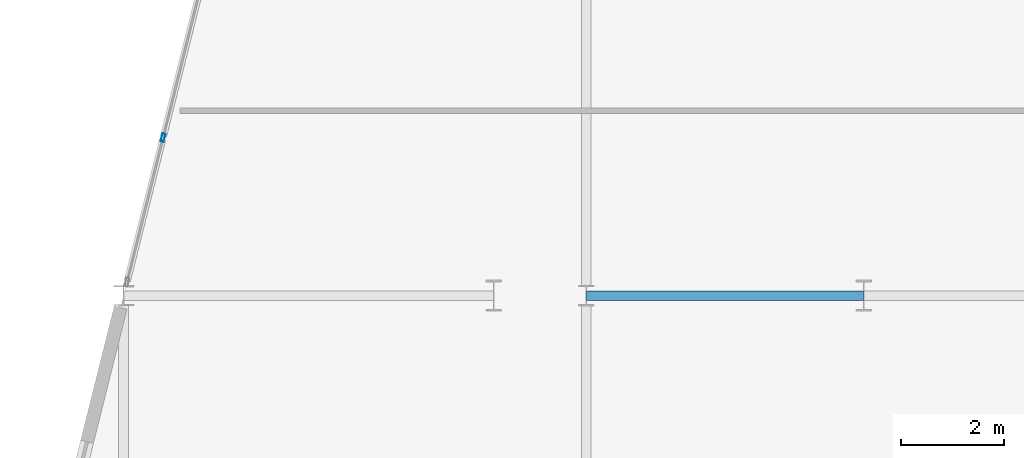
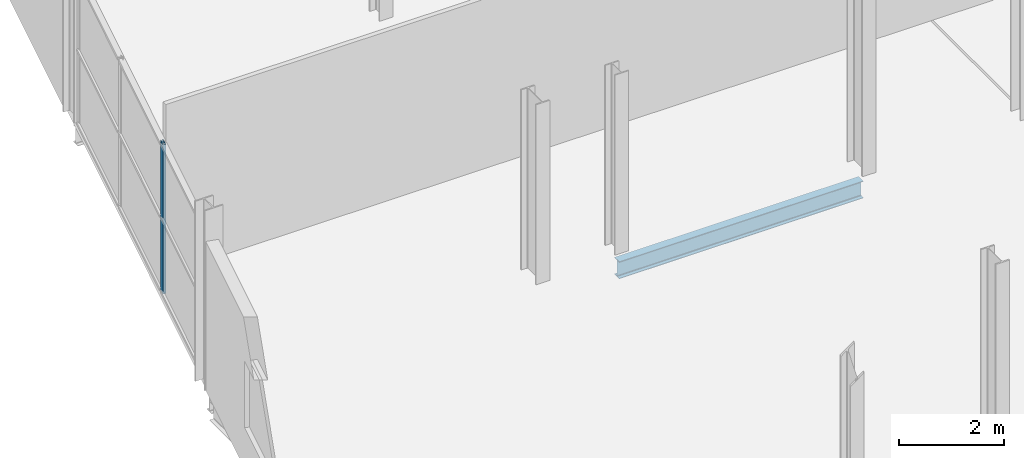
# One storey, part 41 of 88: 1 beam, 1 member, 1 element without a shape of its own.
"""IFC4 building model written with IfcOpenShell, lengths in metres."""

import ifcopenshell
import ifcopenshell.guid

model = None  # the IFC model being written
_history = None  # IfcOwnerHistory: only IFC2X3 demands one
_inside = {}  # id of a spatial element -> (the spatial element, [elements in it])
_under = {}  # id of a project, library or spatial element -> (it, [spatial elements below it])
_declared = {}  # id of a project -> (the project, [libraries it declares])
_typed = {}  # id of a type object -> (the type object, [elements of that type])
_made_of = {}  # id of a material, layer set ... -> (it, [elements and type objects made of it])


def new_model(schema):
    """Start an empty IFC model of exactly this schema.

    Asked for "IFC4X3", IfcOpenShell would pick the latest addendum, in which some entities
    have other attributes; the version numbers below select the first issue.
    IFC2X3 requires an IfcOwnerHistory on every rooted entity: one is made here for all.
    """
    global model, _history
    if schema == "IFC4X3":
        model = ifcopenshell.file(schema_version=(4, 3, 0, 0))
    else:
        model = ifcopenshell.file(schema=schema)
    _inside.clear()
    _under.clear()
    _declared.clear()
    _typed.clear()
    _made_of.clear()
    _history = None
    if model.schema == "IFC2X3":
        org = make("IfcOrganization", Name="unknown")
        user = make(
            "IfcPersonAndOrganization",
            ThePerson=make("IfcPerson", FamilyName="unknown"),
            TheOrganization=org,
        )
        app = make(
            "IfcApplication",
            ApplicationDeveloper=org,
            Version="unknown",
            ApplicationFullName="unknown",
            ApplicationIdentifier="unknown",
        )
        _history = make(
            "IfcOwnerHistory",
            OwningUser=user,
            OwningApplication=app,
            ChangeAction="ADDED",
            CreationDate=0,
        )
    return model


def make(cls, **values):
    """One entity of the class cls with the attributes given. An attribute that is None is left unset."""
    return model.create_entity(
        cls, **{name: value for name, value in values.items() if value is not None}
    )


def rooted(cls, **values):
    """An entity with a GlobalId (a new one), such as an element, a storey or a relation."""
    return make(cls, GlobalId=ifcopenshell.guid.new(), OwnerHistory=_history, **values)


def si_unit(unit_type, name, prefix=None):
    """IfcSIUnit, for example si_unit("LENGTHUNIT", "METRE", prefix="MILLI")."""
    return make("IfcSIUnit", UnitType=unit_type, Prefix=prefix, Name=name)


def assignment(units):
    """IfcUnitAssignment: the units of a project."""
    return None if units is None else make("IfcUnitAssignment", Units=units)


def point(xyz):
    """IfcCartesianPoint."""
    return None if xyz is None else make("IfcCartesianPoint", Coordinates=xyz)


def direction(xyz):
    """IfcDirection."""
    return None if xyz is None else make("IfcDirection", DirectionRatios=xyz)


def frame(location, z_axis=None, x_axis=None):
    """IfcAxis2Placement3D, a coordinate frame: its origin and axes. An axis left out is left unset."""
    return make(
        "IfcAxis2Placement3D",
        Location=point(location),
        Axis=direction(z_axis),
        RefDirection=direction(x_axis),
    )


def frame_2d(location, x_axis=None):
    """IfcAxis2Placement2D, a coordinate frame in the plane: its origin and x axis."""
    return make(
        "IfcAxis2Placement2D", Location=point(location), RefDirection=direction(x_axis)
    )


def origin():
    """The frame at (0, 0, 0) with its axes left unset."""
    return frame((0.0, 0.0, 0.0))


def origin_2d():
    """The frame at (0, 0) in the plane with its x axis left unset."""
    return frame_2d((0.0, 0.0))


def place(relative_to, where):
    """IfcLocalPlacement: puts the frame where relative to a parent placement (None: the world)."""
    return make(
        "IfcLocalPlacement", PlacementRelTo=relative_to, RelativePlacement=where
    )


def context(
    kind, dimensions, precision=None, world=None, true_north=None, identifier=None
):
    """IfcGeometricRepresentationContext, for example the 3D "Model" context."""
    return make(
        "IfcGeometricRepresentationContext",
        ContextIdentifier=identifier,
        ContextType=kind,
        CoordinateSpaceDimension=dimensions,
        Precision=precision,
        WorldCoordinateSystem=world,
        TrueNorth=true_north,
    )


def subcontext(parent, identifier, kind, view, scale=None):
    """IfcGeometricRepresentationSubContext, for example "Body" below "Model"."""
    return make(
        "IfcGeometricRepresentationSubContext",
        ContextIdentifier=identifier,
        ContextType=kind,
        ParentContext=parent,
        TargetScale=scale,
        TargetView=view,
    )


def project(units=None, contexts=None):
    """IfcProject with its units and contexts."""
    return rooted(
        "IfcProject",
        Name="project",
        RepresentationContexts=contexts,
        UnitsInContext=assignment(units),
    )


def spatial(cls, under=None, at=None, **own):
    """A site, building, storey or space (cls), placed at a placement, below another one or the project."""
    s = rooted(cls, ObjectPlacement=at, **own)
    if under is not None:
        _under.setdefault(under.id(), (under, []))[1].append(s)
    return s


def profile(cls, at=None, kind="AREA", **sizes):
    """A parametric profile (cls). Its sizes go by their IFC names, for example OverallWidth=200.0."""
    return make(cls, ProfileType=kind, Position=at, **sizes)


def hollow_rectangle(**sizes):
    """IfcRectangleHollowProfileDef."""
    return profile("IfcRectangleHollowProfileDef", **sizes)


def i_section(**sizes):
    """IfcIShapeProfileDef."""
    return profile("IfcIShapeProfileDef", **sizes)


def extrude(swept, where, along, depth):
    """IfcExtrudedAreaSolid: the profile swept, set in the frame where, extruded along a direction by depth."""
    return make(
        "IfcExtrudedAreaSolid",
        SweptArea=swept,
        Position=where,
        ExtrudedDirection=direction(along),
        Depth=depth,
    )


def shape(context_of_items, identifier, shape_type, items):
    """IfcShapeRepresentation: the items that make up one representation, for example the "Body"."""
    return make(
        "IfcShapeRepresentation",
        ContextOfItems=context_of_items,
        RepresentationIdentifier=identifier,
        RepresentationType=shape_type,
        Items=items,
    )


def material(Name=None, Category=None):
    """IfcMaterial."""
    return make("IfcMaterial", Name=Name, Category=Category)


def layer(
    of_material, thickness, ventilated=None, Name=None, Category=None, Priority=None
):
    """IfcMaterialLayer: one layer of a wall or slab, of a material (None: an air gap)."""
    return make(
        "IfcMaterialLayer",
        Material=of_material,
        LayerThickness=thickness,
        IsVentilated=ventilated,
        Name=Name,
        Category=Category,
        Priority=Priority,
    )


def layer_set(layers, Name=None):
    """IfcMaterialLayerSet."""
    return make("IfcMaterialLayerSet", MaterialLayers=layers, LayerSetName=Name)


def material_profile(
    of_material, cross_section, Name=None, Category=None, Priority=None
):
    """IfcMaterialProfile: a cross section and its material."""
    return make(
        "IfcMaterialProfile",
        Name=Name,
        Material=of_material,
        Profile=cross_section,
        Priority=Priority,
        Category=Category,
    )


def profile_set(profiles, Name=None, composite=None):
    """IfcMaterialProfileSet."""
    return make(
        "IfcMaterialProfileSet",
        Name=Name,
        MaterialProfiles=profiles,
        CompositeProfile=composite,
    )


def made_of(thing, what):
    """Note that an element or type object is made of a material, layer set ...; save() writes the relation."""
    if what is not None:
        _made_of.setdefault(what.id(), (what, []))[1].append(thing)
    return thing


def type_object(cls, material=None, **own):
    """A type object (cls), such as IfcWallType, which elements share."""
    return made_of(rooted(cls, **own), material)


def element(
    cls,
    number,
    at=None,
    inside=None,
    cuts=None,
    type_object=None,
    material=None,
    context=None,
    identifier="Body",
    shape_type=None,
    held_by="IfcProductDefinitionShape",
    body=None,
    shapes=None,
    **own,
):
    """One element of the class cls, such as IfcWall. Its Tag is "e" and its number.

    at: its placement. inside: the storey or other place that contains it. cuts: it is an
    opening in that element (IfcRelVoidsElement). A single representation is given by context,
    identifier, shape_type and body (its items); several are given by shapes. held_by: the class
    of the entity that holds the representations. save() writes the other relations.
    """
    e = rooted(cls, Tag="e%d" % number, ObjectPlacement=at, **own)
    if body is not None:
        shapes = [shape(context, identifier, shape_type, body)]
    if shapes is not None:
        e.Representation = make(held_by, Representations=shapes)
    if inside is not None:
        _inside.setdefault(inside.id(), (inside, []))[1].append(e)
    if cuts is not None:
        rooted(
            "IfcRelVoidsElement", RelatingBuildingElement=cuts, RelatedOpeningElement=e
        )
    if type_object is not None:
        _typed.setdefault(type_object.id(), (type_object, []))[1].append(e)
    return made_of(e, material)


def aggregate(whole, parts):
    """IfcRelAggregates: a whole, such as a stair, and the parts it consists of."""
    return rooted("IfcRelAggregates", RelatingObject=whole, RelatedObjects=parts)


def save(model, path):
    """Write the relations noted so far, then the file.

    IfcRelAggregates (storeys below a building ...), IfcRelContainedInSpatialStructure (elements
    in a storey), IfcRelDefinesByType, IfcRelAssociatesMaterial and IfcRelDeclares: one each for
    every whole, place, type object, material and project.
    """
    for whole, parts in _under.values():
        aggregate(whole, parts)
    for where, things in _inside.values():
        rooted(
            "IfcRelContainedInSpatialStructure",
            RelatedElements=things,
            RelatingStructure=where,
        )
    for kind, things in _typed.values():
        rooted("IfcRelDefinesByType", RelatedObjects=things, RelatingType=kind)
    for what, things in _made_of.values():
        rooted("IfcRelAssociatesMaterial", RelatedObjects=things, RelatingMaterial=what)
    for by, libraries in _declared.values():
        rooted("IfcRelDeclares", RelatingContext=by, RelatedDefinitions=libraries)
    model.write(path)


model = new_model("IFC4")

# Units and contexts
model_context = context("Model", 3, precision=1e-05, world=origin(), true_north=direction((0.0, 1.0)))
body_context = subcontext(model_context, "Body", "Model", "MODEL_VIEW")
ifc_project = project(units=[si_unit("LENGTHUNIT", "METRE"), si_unit("AREAUNIT", "SQUARE_METRE"), si_unit("VOLUMEUNIT", "CUBIC_METRE"), si_unit("PLANEANGLEUNIT", "RADIAN"), si_unit("MASSUNIT", "GRAM", prefix="KILO")], contexts=[model_context])

# Site, building, storey
site_placement = place(None, origin())
site = spatial("IfcSite", under=ifc_project, at=site_placement, CompositionType="ELEMENT")
building_placement = place(site_placement, origin())
building = spatial("IfcBuilding", under=site, at=building_placement, Name="Deido Ridge Mobility Hub", CompositionType="ELEMENT")
storey_placement = place(building_placement, frame((0.0, 0.0, 16.800048828125)))
storey = spatial("IfcBuildingStorey", under=building, at=storey_placement, Name="L04", CompositionType="ELEMENT", Elevation=16.800048828125)

# Beam
ifc_material_1 = material(Name="Steel S355J2 EN 10025-2", Category="steel")
ifc_material_profile_1 = material_profile(ifc_material_1, i_section(OverallWidth=0.179931640625, OverallDepth=0.39990234375, WebThickness=0.008544921875, FlangeThickness=0.013427734375, FilletRadius=0.02099609375, at=origin_2d()), Name="IPE 400")
ifc_profile_set_1 = profile_set([ifc_material_profile_1], Name="Steel S355J2 EN 10025-2")
beam_type = type_object("IfcBeamType", Name="BM-IPE400", PredefinedType="BEAM", material=ifc_profile_set_1)
beam_placement = place(storey_placement, frame((135.0068359375, 18.0, -0.47509765625), z_axis=(1.0, 0.0, 0.0), x_axis=(0.0, 1.0, 0.0)))
element("IfcBeam", 1, at=beam_placement, inside=storey, type_object=beam_type, Name="Floor beam B5", PredefinedType="BEAM", context=body_context, shape_type="SweptSolid", body=[
    extrude(i_section(OverallWidth=0.179931640625, OverallDepth=0.39990234375, WebThickness=0.008544921875, FlangeThickness=0.013427734375, FilletRadius=0.02099609375, at=origin_2d()), origin(), (0.0, 0.0, 1.0), 5.385498046875),
])

# Curtain wall, member
ifc_material_2 = material(Name="Anodised aluminium EN AW-6063 T6", Category="aluminium")
ifc_layer = layer(ifc_material_2, 0.2099609375, Name="Anodised aluminium EN AW-6063 T6")
ifc_layer_set = layer_set([ifc_layer], Name="Anodised aluminium EN AW-6063 T6")
curtain_wall_type = type_object("IfcCurtainWallType", Name="CW-UF-4", PredefinedType="USERDEFINED", material=ifc_layer_set)
curtain_wall_placement = place(storey_placement, origin())
curtain_wall = element("IfcCurtainWall", 2, at=curtain_wall_placement, inside=storey, type_object=curtain_wall_type, Name="Unitised curtain wall CW4", ObjectType="UNITISED FACADE", PredefinedType="USERDEFINED")
ifc_material_profile_2 = material_profile(ifc_material_2, hollow_rectangle(XDim=0.06005859375, YDim=0.159912109375, WallThickness=0.00390625, at=origin_2d()), Name="RHS 60x160x4")
ifc_profile_set_2 = profile_set([ifc_material_profile_2], Name="Anodised aluminium EN AW-6063 T6")
member_type = type_object("IfcMemberType", Name="MEM-MUL-60X160", PredefinedType="MULLION", material=ifc_profile_set_2)
member_placement = place(storey_placement, frame((126.76806640625, 21.072265625, 0.0), z_axis=(0.0, 0.0, 1.0), x_axis=(-0.97014383958, 0.242530267235, 0.0)))
member = element("IfcMember", 3, at=member_placement, type_object=member_type, Name="CW4 mullion 2", PredefinedType="MULLION", context=body_context, shape_type="SweptSolid", body=[
    extrude(hollow_rectangle(XDim=0.06005859375, YDim=0.159912109375, WallThickness=0.00390625, at=origin_2d()), origin(), (0.0, 0.0, 1.0), 3.48486328125),
])
aggregate(curtain_wall, [member])

save(model, "model.ifc")
